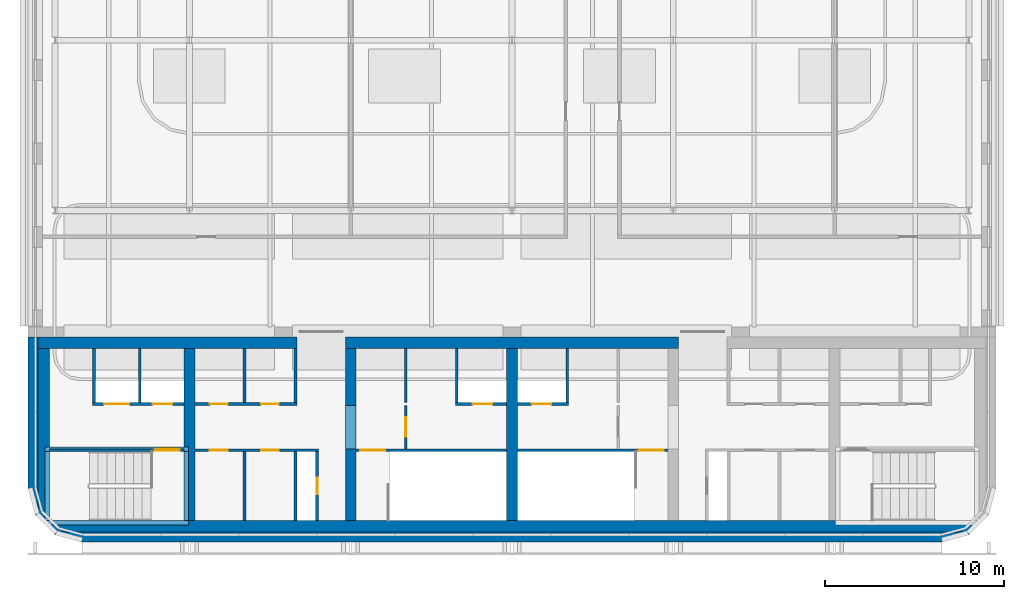
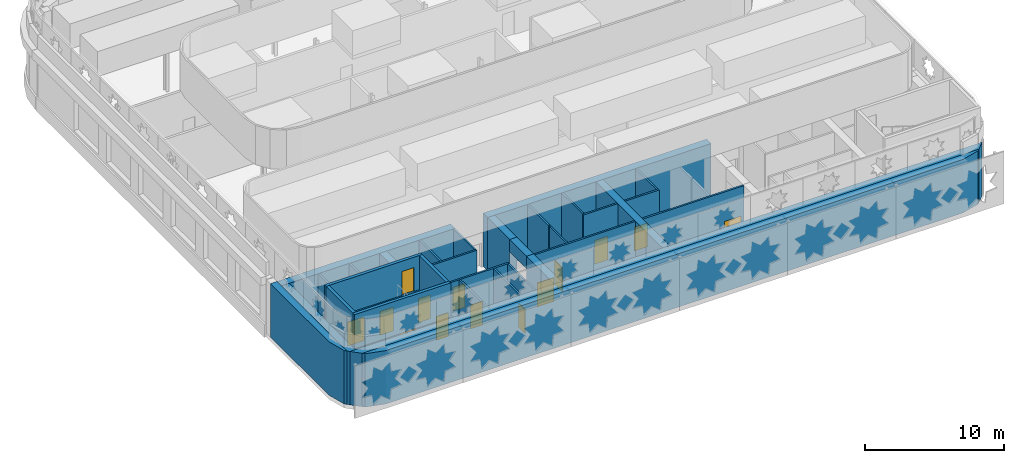
# One storey, part 6 of 14: 34 walls, 14 doors, 14 openings.
"""IFC4 building model written with IfcOpenShell, lengths in metres."""

from ifc_helpers import new_model, si_unit, direction, frame, frame_2d, origin, place, context, subcontext, project, spatial, polyline, rectangle, outline, extrude, material, layer, layer_set, type_object, element, fill, save


model = new_model("IFC4")

# Units and contexts
model_context = context("Model", 3, precision=1e-05, world=origin(), true_north=direction((0.0, 1.0)))
body_context = subcontext(model_context, "Body", "Model", "MODEL_VIEW")
ifc_project = project(units=[si_unit("LENGTHUNIT", "METRE"), si_unit("AREAUNIT", "SQUARE_METRE"), si_unit("VOLUMEUNIT", "CUBIC_METRE"), si_unit("PLANEANGLEUNIT", "RADIAN"), si_unit("MASSUNIT", "GRAM", prefix="KILO")], contexts=[model_context])

# Site, building, storey
site_placement = place(None, origin())
site = spatial("IfcSite", under=ifc_project, at=site_placement, CompositionType="ELEMENT")
building_placement = place(site_placement, origin())
building = spatial("IfcBuilding", under=site, at=building_placement, Name="Zellij Exchange Tower", CompositionType="ELEMENT")
storey_placement = place(building_placement, frame((0.0, 0.0, 305.5)))
storey = spatial("IfcBuildingStorey", under=building, at=storey_placement, Name="L71", CompositionType="ELEMENT", Elevation=305.5)

# Walls
ifc_material_1 = material(Name="Concrete C50/60", Category="concrete")
ifc_layer_1 = layer(ifc_material_1, 0.60009765625)
ifc_layer_set_1 = layer_set([ifc_layer_1], Name="Concrete C50/60")
wall_type_1 = type_object("IfcWallType", Name="CORE-CW 600 C50/60", PredefinedType="SHEAR", material=ifc_layer_set_1)
wall_1_placement = place(storey_placement, frame((-18.0, -12.800048828125, 0.0), z_axis=(0.0, 0.0, 1.0), x_axis=(0.0, 1.0, 0.0)))
element("IfcWall", 1, at=wall_1_placement, inside=storey, type_object=wall_type_1, Name="Core cross wall x -18 L71", PredefinedType="SHEAR", context=body_context, shape_type="SweptSolid", body=[
    extrude(rectangle(XDim=9.60009765625, YDim=0.60009765625, at=frame_2d((4.800048828125, 0.0))), origin(), (0.0, 0.0, 1.0), 4.699951171875),
])
wall_2_placement = place(storey_placement, frame((-9.0, -12.800048828125, 0.0), z_axis=(0.0, 0.0, 1.0), x_axis=(0.0, 1.0, 0.0)))
element("IfcWall", 2, at=wall_2_placement, inside=storey, type_object=wall_type_1, Name="Core cross wall pier x -9 a L71", PredefinedType="SHEAR", context=body_context, shape_type="SweptSolid", body=[
    extrude(rectangle(XDim=4.0, YDim=0.60009765625, at=frame_2d((2.0, 0.0))), origin(), (0.0, 0.0, 1.0), 4.699951171875),
])
wall_3_placement = place(storey_placement, frame((-9.0, -6.375, 0.0), z_axis=(0.0, 0.0, 1.0), x_axis=(0.0, 1.0, 0.0)))
element("IfcWall", 3, at=wall_3_placement, inside=storey, type_object=wall_type_1, Name="Core cross wall pier x -9 b L71", PredefinedType="SHEAR", context=body_context, shape_type="SweptSolid", body=[
    extrude(rectangle(XDim=3.175048828125, YDim=0.60009765625, at=frame_2d((1.58740234375, 0.0))), origin(), (0.0, 0.0, 1.0), 4.699951171875),
])
wall_4_placement = place(storey_placement, frame((-9.0, -8.800048828125, 3.60009765625), z_axis=(0.0, 0.0, 1.0), x_axis=(0.0, 1.0, 0.0)))
element("IfcWall", 4, at=wall_4_placement, inside=storey, type_object=wall_type_1, Name="Core cross wall over opening x -9 L71", PredefinedType="SHEAR", context=body_context, shape_type="SweptSolid", body=[
    extrude(rectangle(XDim=2.425048828125, YDim=0.60009765625, at=frame_2d((1.21240234375, 0.0))), origin(), (0.0, 0.0, 1.0), 1.099853515625),
])
wall_5_placement = place(storey_placement, frame((0.0, -12.800048828125, 0.0), z_axis=(0.0, 0.0, 1.0), x_axis=(0.0, 1.0, 0.0)))
element("IfcWall", 5, at=wall_5_placement, inside=storey, type_object=wall_type_1, Name="Core cross wall x 0 L71", PredefinedType="SHEAR", context=body_context, shape_type="SweptSolid", body=[
    extrude(rectangle(XDim=9.60009765625, YDim=0.60009765625, at=frame_2d((4.800048828125, 0.0))), origin(), (0.0, 0.0, 1.0), 4.699951171875),
])
ifc_material_2 = material(Name="Concrete C40/50", Category="concrete")
ifc_layer_2 = layer(ifc_material_2, 0.25)
ifc_layer_set_2 = layer_set([ifc_layer_2], Name="Concrete C40/50")
wall_type_2 = type_object("IfcWallType", Name="CORE-HW 250 head-house wall", PredefinedType="SOLIDWALL", material=ifc_layer_set_2)
for number, where, z_axis, x_axis, name in (
    (6, (-25.925048828125, -12.800048828125, 5.0), (0.0, 0.0, 1.0), (0.0, 1.0, 0.0), "Stair ST1 head-house wall"),
    (7, (-18.175048828125, -12.800048828125, 5.0), (0.0, 0.0, 1.0), (0.0, 1.0, 0.0), "Stair ST1 head-house wall"),
):
    element("IfcWall", number, at=place(storey_placement, frame(where, z_axis=z_axis, x_axis=x_axis)), inside=storey, type_object=wall_type_2, Name=name, PredefinedType="SOLIDWALL", context=body_context, shape_type="SweptSolid", body=[
        extrude(rectangle(XDim=3.85009765625, YDim=0.25, at=frame_2d((1.925048828125, 0.0))), origin(), (0.0, 0.0, 1.0), 3.0),
    ])

# Wall, opening, door
wall_6_placement = place(storey_placement, frame((-26.050048828125, -8.824951171875, 5.0), z_axis=(0.0, 0.0, 1.0), x_axis=(1.0, 0.0, 0.0)))
wall_6 = element("IfcWall", 8, at=wall_6_placement, inside=storey, type_object=wall_type_2, Name="Stair ST1 head-house wall", PredefinedType="SOLIDWALL", context=body_context, shape_type="SweptSolid", body=[
    extrude(rectangle(XDim=8.0, YDim=0.25, at=frame_2d((4.0, 0.0))), origin(), (0.0, 0.0, 1.0), 3.0),
])
opening_1_placement = place(wall_6_placement, frame((6.324951171875, 0.0, 0.0)))
opening_1 = element("IfcOpeningElement", 9, at=opening_1_placement, cuts=wall_6, Name="Opening CA-38.25", PredefinedType="OPENING", context=body_context, shape_type="SweptSolid", body=[
    extrude(rectangle(XDim=1.0, YDim=2.10009765625, at=frame_2d((0.5, 1.050048828125))), frame((0.0, 0.136962890625, 0.0), z_axis=(0.0, -1.0, 0.0), x_axis=(1.0, 0.0, 0.0)), (0.0, 0.0, 1.0), 0.27392578125),
])
ifc_material_3 = material(Name="Hollow metal fire door")
door_type_1 = type_object("IfcDoorType", Name="CORE-D HD Stair roof door 1000x2100 1.5 HR", OperationType="NOTDEFINED", PredefinedType="DOOR", material=ifc_material_3)
door_1_placement = place(opening_1_placement, origin())
door_1 = element("IfcDoor", 10, at=door_1_placement, inside=storey, type_object=door_type_1, Name="Stair roof door CA-38.25", OperationType="SINGLE_SWING_RIGHT", OverallHeight=2.10009765625, OverallWidth=1.0, PredefinedType="DOOR", context=body_context, shape_type="SweptSolid", body=[
    extrude(rectangle(XDim=1.0, YDim=2.10009765625, at=frame_2d((0.5, 1.050048828125))), frame((0.0, 0.02490234375, 0.0), z_axis=(0.0, -1.0, 0.0), x_axis=(1.0, 0.0, 0.0)), (0.0, 0.0, 1.0), 0.050048828125),
])
fill(opening_1, door_1)

# Walls
wall_7_placement = place(storey_placement, frame((-26.050048828125, -12.925048828125, 5.0), z_axis=(0.0, 0.0, 1.0), x_axis=(1.0, 0.0, 0.0)))
element("IfcWall", 11, at=wall_7_placement, inside=storey, type_object=wall_type_2, Name="Stair ST1 head-house wall", PredefinedType="SOLIDWALL", context=body_context, shape_type="SweptSolid", body=[
    extrude(rectangle(XDim=8.0, YDim=0.25, at=frame_2d((4.0, 0.0))), origin(), (0.0, 0.0, 1.0), 3.0),
])
ifc_material_4 = material(Name="Concrete C30/37", Category="concrete")
ifc_layer_3 = layer(ifc_material_4, 0.64990234375)
ifc_layer_set_3 = layer_set([ifc_layer_3], Name="Concrete C30/37")
wall_type_3 = type_object("IfcWallType", Name="CORE-LW 650 C30/37", PredefinedType="SHEAR", material=ifc_layer_set_3)
wall_8_placement = place(storey_placement, frame((-26.449951171875, -2.875, 0.0), z_axis=(0.0, 0.0, 1.0), x_axis=(1.0, 0.0, 0.0)))
element("IfcWall", 12, at=wall_8_placement, inside=storey, type_object=wall_type_3, Name="Core wall lining front.0 L71", PredefinedType="SHEAR", context=body_context, shape_type="SweptSolid", body=[
    extrude(rectangle(XDim=14.449951171875, YDim=0.64990234375, at=frame_2d((7.22509765625, 0.0))), origin(), (0.0, 0.0, 1.0), 4.699951171875),
])
wall_9_placement = place(storey_placement, frame((-9.300048828125, -2.875, 0.0), z_axis=(0.0, 0.0, 1.0), x_axis=(1.0, 0.0, 0.0)))
element("IfcWall", 13, at=wall_9_placement, inside=storey, type_object=wall_type_3, Name="Core wall lining front.1 L71", PredefinedType="SHEAR", context=body_context, shape_type="SweptSolid", body=[
    extrude(rectangle(XDim=18.60009765625, YDim=0.64990234375, at=frame_2d((9.300048828125, 0.0))), origin(), (0.0, 0.0, 1.0), 4.699951171875),
])
wall_10_placement = place(storey_placement, origin())
element("IfcWall", 14, at=wall_10_placement, inside=storey, type_object=wall_type_3, Name="Core wall lining rear.0 L71", PredefinedType="SHEAR", context=body_context, shape_type="SweptSolid", body=[
    extrude(outline(polyline([(26.298095703125, -12.800048828125), (25.648193359375, -13.449951171875), (-25.648193359375, -13.449951171875), (-26.298095703125, -12.800048828125), (26.298095703125, -12.800048828125)])), origin(), (0.0, 0.0, 1.0), 4.699951171875),
])
wall_11_placement = place(storey_placement, origin())
element("IfcWall", 15, at=wall_11_placement, inside=storey, type_object=wall_type_3, Name="Core wall lining end w.0 L71", PredefinedType="SHEAR", context=body_context, shape_type="SweptSolid", body=[
    extrude(outline(polyline([(-26.449951171875, -3.199951171875), (-25.800048828125, -3.199951171875), (-25.800048828125, -12.800048828125), (-26.298095703125, -12.800048828125), (-26.449951171875, -12.648193359375), (-26.449951171875, -3.199951171875)])), origin(), (0.0, 0.0, 1.0), 4.699951171875),
])

# Wall, opening, door
ifc_material_5 = material(Name="Gypsum shaft wall system")
ifc_layer_4 = layer(ifc_material_5, 0.14990234375)
ifc_layer_set_4 = layer_set([ifc_layer_4], Name="Gypsum shaft wall system")
wall_type_4 = type_object("IfcWallType", Name="CORE-PW 150 Firefighting lobby wall", PredefinedType="PARTITIONING", material=ifc_layer_set_4)
wall_12_placement = place(storey_placement, frame((-5.925048828125, -8.800048828125, 0.0), z_axis=(0.0, 0.0, 1.0), x_axis=(0.0, 1.0, 0.0)))
wall_12 = element("IfcWall", 16, at=wall_12_placement, inside=storey, type_object=wall_type_4, Name="Firefighting lobby wall L71", PredefinedType="PARTITIONING", context=body_context, shape_type="SweptSolid", body=[
    extrude(rectangle(XDim=2.425048828125, YDim=0.14990234375, at=frame_2d((1.21240234375, 0.0))), origin(), (0.0, 0.0, 1.0), 4.699951171875),
])
opening_2_placement = place(wall_12_placement, frame((0.662109375, 0.0, 0.0)))
opening_2 = element("IfcOpeningElement", 17, at=opening_2_placement, cuts=wall_12, Name="Opening CA-38.11", PredefinedType="OPENING", context=body_context, shape_type="SweptSolid", body=[
    extrude(rectangle(XDim=1.10009765625, YDim=2.10009765625, at=frame_2d((0.550048828125, 1.050048828125))), frame((0.0, 0.0869140625, 0.0), z_axis=(0.0, -1.0, 0.0), x_axis=(1.0, 0.0, 0.0)), (0.0, 0.0, 1.0), 0.173828125),
])
door_type_2 = type_object("IfcDoorType", Name="CORE-D F Firefighting lobby door 1100x2100 1 HR", OperationType="NOTDEFINED", PredefinedType="DOOR", material=ifc_material_3)
door_2_placement = place(opening_2_placement, origin())
door_2 = element("IfcDoor", 18, at=door_2_placement, inside=storey, type_object=door_type_2, Name="Firefighting lobby door CA-38.11", OperationType="SINGLE_SWING_LEFT", OverallHeight=2.10009765625, OverallWidth=1.10009765625, PredefinedType="DOOR", context=body_context, shape_type="SweptSolid", body=[
    extrude(rectangle(XDim=1.10009765625, YDim=2.10009765625, at=frame_2d((0.550048828125, 1.050048828125))), frame((0.0, 0.02490234375, 0.0), z_axis=(0.0, -1.0, 0.0), x_axis=(1.0, 0.0, 0.0)), (0.0, 0.0, 1.0), 0.050048828125),
])
fill(opening_2, door_2)

# Walls
ifc_layer_5 = layer(ifc_material_5, 0.14990234375)
ifc_layer_set_5 = layer_set([ifc_layer_5], Name="Gypsum shaft wall system")
wall_type_5 = type_object("IfcWallType", Name="CORE-PW 150 Lift shaft wall", PredefinedType="PARTITIONING", material=ifc_layer_set_5)
for number, where, z_axis, x_axis, name in (
    (19, (-20.77490234375, -6.22509765625, 0.0), (0.0, 0.0, 1.0), (0.0, 1.0, 0.0), "Lift shaft wall L71"),
    (20, (-23.324951171875, -6.22509765625, 0.0), (0.0, 0.0, 1.0), (0.0, 1.0, 0.0), "Lift shaft wall L71"),
    (21, (-3.074951171875, -6.22509765625, 0.0), (0.0, 0.0, 1.0), (0.0, 1.0, 0.0), "Lift shaft wall L71"),
    (22, (3.074951171875, -6.22509765625, 0.0), (0.0, 0.0, 1.0), (0.0, 1.0, 0.0), "Lift shaft wall L71"),
):
    element("IfcWall", number, at=place(storey_placement, frame(where, z_axis=z_axis, x_axis=x_axis)), inside=storey, type_object=wall_type_5, Name=name, PredefinedType="PARTITIONING", context=body_context, shape_type="SweptSolid", body=[
        extrude(rectangle(XDim=3.025146484375, YDim=0.14990234375, at=frame_2d((1.5126953125, 0.0))), origin(), (0.0, 0.0, 1.0), 4.699951171875),
    ])

# Wall, openings, doors
wall_13_placement = place(storey_placement, frame((-23.39990234375, -6.300048828125, 0.0), z_axis=(0.0, 0.0, 1.0), x_axis=(1.0, 0.0, 0.0)))
wall_13 = element("IfcWall", 23, at=wall_13_placement, inside=storey, type_object=wall_type_5, Name="Lift shaft wall L71", PredefinedType="PARTITIONING", context=body_context, shape_type="SweptSolid", body=[
    extrude(rectangle(XDim=5.099853515625, YDim=0.14990234375, at=frame_2d((2.5498046875, 0.0))), origin(), (0.0, 0.0, 1.0), 4.699951171875),
])
opening_3_placement = place(wall_13_placement, frame((0.64990234375, 0.0, 0.0)))
opening_3 = element("IfcOpeningElement", 24, at=opening_3_placement, cuts=wall_13, Name="Opening CA-38.01", PredefinedType="OPENING", context=body_context, shape_type="SweptSolid", body=[
    extrude(rectangle(XDim=1.39990234375, YDim=2.10009765625, at=frame_2d((0.699951171875, 1.050048828125))), frame((0.0, 0.0869140625, 0.0), z_axis=(0.0, -1.0, 0.0), x_axis=(1.0, 0.0, 0.0)), (0.0, 0.0, 1.0), 0.173828125),
])
opening_4_placement = place(wall_13_placement, frame((3.35009765625, 0.0, 0.0)))
opening_4 = element("IfcOpeningElement", 25, at=opening_4_placement, cuts=wall_13, Name="Opening CA-38.02", PredefinedType="OPENING", context=body_context, shape_type="SweptSolid", body=[
    extrude(rectangle(XDim=1.10009765625, YDim=2.10009765625, at=frame_2d((0.550048828125, 1.050048828125))), frame((0.0, 0.0869140625, 0.0), z_axis=(0.0, -1.0, 0.0), x_axis=(1.0, 0.0, 0.0)), (0.0, 0.0, 1.0), 0.173828125),
])
door_type_3 = type_object("IfcDoorType", Name="CORE-D LD Lift landing door 1100x2100 1.5 HR", OperationType="NOTDEFINED", PredefinedType="DOOR", material=ifc_material_3)
door_3_placement = place(opening_4_placement, origin())
door_3 = element("IfcDoor", 26, at=door_3_placement, inside=storey, type_object=door_type_3, Name="Lift landing door CA-38.02", OperationType="SLIDING_TO_RIGHT", OverallHeight=2.10009765625, OverallWidth=1.10009765625, PredefinedType="DOOR", context=body_context, shape_type="SweptSolid", body=[
    extrude(rectangle(XDim=1.10009765625, YDim=2.10009765625, at=frame_2d((0.550048828125, 1.050048828125))), frame((0.0, 0.02490234375, 0.0), z_axis=(0.0, -1.0, 0.0), x_axis=(1.0, 0.0, 0.0)), (0.0, 0.0, 1.0), 0.050048828125),
])
fill(opening_4, door_3)
door_type_4 = type_object("IfcDoorType", Name="CORE-D LD2 Service lift landing door 1400x2100 1.5 HR", OperationType="NOTDEFINED", PredefinedType="DOOR", material=ifc_material_3)
door_4_placement = place(opening_3_placement, origin())
door_4 = element("IfcDoor", 27, at=door_4_placement, inside=storey, type_object=door_type_4, Name="Service lift landing door CA-38.01", OperationType="SLIDING_TO_LEFT", OverallHeight=2.10009765625, OverallWidth=1.39990234375, PredefinedType="DOOR", context=body_context, shape_type="SweptSolid", body=[
    extrude(rectangle(XDim=1.39990234375, YDim=2.10009765625, at=frame_2d((0.699951171875, 1.050048828125))), frame((0.0, 0.02490234375, 0.0), z_axis=(0.0, -1.0, 0.0), x_axis=(1.0, 0.0, 0.0)), (0.0, 0.0, 1.0), 0.050048828125),
])
fill(opening_3, door_4)

# Wall, opening, door
wall_14_placement = place(storey_placement, frame((-3.14990234375, -6.300048828125, 0.0), z_axis=(0.0, 0.0, 1.0), x_axis=(1.0, 0.0, 0.0)))
wall_14 = element("IfcWall", 28, at=wall_14_placement, inside=storey, type_object=wall_type_5, Name="Lift shaft wall L71", PredefinedType="PARTITIONING", context=body_context, shape_type="SweptSolid", body=[
    extrude(rectangle(XDim=2.849853515625, YDim=0.14990234375, at=frame_2d((1.4248046875, 0.0))), origin(), (0.0, 0.0, 1.0), 4.699951171875),
])
opening_5_placement = place(wall_14_placement, frame((0.949951171875, 0.0, 0.0)))
opening_5 = element("IfcOpeningElement", 29, at=opening_5_placement, cuts=wall_14, Name="Opening CA-38.12", PredefinedType="OPENING", context=body_context, shape_type="SweptSolid", body=[
    extrude(rectangle(XDim=1.10009765625, YDim=2.10009765625, at=frame_2d((0.550048828125, 1.050048828125))), frame((0.0, 0.0869140625, 0.0), z_axis=(0.0, -1.0, 0.0), x_axis=(1.0, 0.0, 0.0)), (0.0, 0.0, 1.0), 0.173828125),
])
door_5_placement = place(opening_5_placement, origin())
door_5 = element("IfcDoor", 30, at=door_5_placement, inside=storey, type_object=door_type_3, Name="Lift landing door CA-38.12", OperationType="SLIDING_TO_RIGHT", OverallHeight=2.10009765625, OverallWidth=1.10009765625, PredefinedType="DOOR", context=body_context, shape_type="SweptSolid", body=[
    extrude(rectangle(XDim=1.10009765625, YDim=2.10009765625, at=frame_2d((0.550048828125, 1.050048828125))), frame((0.0, 0.02490234375, 0.0), z_axis=(0.0, -1.0, 0.0), x_axis=(1.0, 0.0, 0.0)), (0.0, 0.0, 1.0), 0.050048828125),
])
fill(opening_5, door_5)

wall_15_placement = place(storey_placement, frame((0.300048828125, -6.300048828125, 0.0), z_axis=(0.0, 0.0, 1.0), x_axis=(1.0, 0.0, 0.0)))
wall_15 = element("IfcWall", 31, at=wall_15_placement, inside=storey, type_object=wall_type_5, Name="Lift shaft wall L71", PredefinedType="PARTITIONING", context=body_context, shape_type="SweptSolid", body=[
    extrude(rectangle(XDim=2.849853515625, YDim=0.14990234375, at=frame_2d((1.4248046875, 0.0))), origin(), (0.0, 0.0, 1.0), 4.699951171875),
])
opening_6_placement = place(wall_15_placement, frame((0.800048828125, 0.0, 0.0)))
opening_6 = element("IfcOpeningElement", 32, at=opening_6_placement, cuts=wall_15, Name="Opening CA-38.13", PredefinedType="OPENING", context=body_context, shape_type="SweptSolid", body=[
    extrude(rectangle(XDim=1.10009765625, YDim=2.10009765625, at=frame_2d((0.550048828125, 1.050048828125))), frame((0.0, 0.0869140625, 0.0), z_axis=(0.0, -1.0, 0.0), x_axis=(1.0, 0.0, 0.0)), (0.0, 0.0, 1.0), 0.173828125),
])
door_6_placement = place(opening_6_placement, origin())
door_6 = element("IfcDoor", 33, at=door_6_placement, inside=storey, type_object=door_type_3, Name="Lift landing door CA-38.13", OperationType="SLIDING_TO_LEFT", OverallHeight=2.10009765625, OverallWidth=1.10009765625, PredefinedType="DOOR", context=body_context, shape_type="SweptSolid", body=[
    extrude(rectangle(XDim=1.10009765625, YDim=2.10009765625, at=frame_2d((0.550048828125, 1.050048828125))), frame((0.0, 0.02490234375, 0.0), z_axis=(0.0, -1.0, 0.0), x_axis=(1.0, 0.0, 0.0)), (0.0, 0.0, 1.0), 0.050048828125),
])
fill(opening_6, door_6)

# Walls
ifc_layer_6 = layer(ifc_material_5, 0.14990234375)
ifc_layer_set_6 = layer_set([ifc_layer_6], Name="Gypsum shaft wall system")
wall_type_6 = type_object("IfcWallType", Name="CORE-PW 150 Plant room wall", PredefinedType="PARTITIONING", material=ifc_layer_set_6)
for number, where, z_axis, x_axis, name in (
    (34, (-12.074951171875, -6.22509765625, 0.0), (0.0, 0.0, 1.0), (0.0, 1.0, 0.0), "Plant room wall L71"),
    (35, (-14.925048828125, -6.22509765625, 0.0), (0.0, 0.0, 1.0), (0.0, 1.0, 0.0), "Plant room wall L71"),
    (36, (-5.925048828125, -6.22509765625, 0.0), (0.0, 0.0, 1.0), (0.0, 1.0, 0.0), "Plant room wall L71"),
):
    element("IfcWall", number, at=place(storey_placement, frame(where, z_axis=z_axis, x_axis=x_axis)), inside=storey, type_object=wall_type_6, Name=name, PredefinedType="PARTITIONING", context=body_context, shape_type="SweptSolid", body=[
        extrude(rectangle(XDim=3.025146484375, YDim=0.14990234375, at=frame_2d((1.5126953125, 0.0))), origin(), (0.0, 0.0, 1.0), 4.699951171875),
    ])

# Wall, opening, door
wall_16_placement = place(storey_placement, frame((-10.875, -12.800048828125, 0.0), z_axis=(0.0, 0.0, 1.0), x_axis=(0.0, 1.0, 0.0)))
wall_16 = element("IfcWall", 37, at=wall_16_placement, inside=storey, type_object=wall_type_6, Name="Plant room wall L71", PredefinedType="PARTITIONING", context=body_context, shape_type="SweptSolid", body=[
    extrude(rectangle(XDim=3.85009765625, YDim=0.14990234375, at=frame_2d((1.925048828125, 0.0))), origin(), (0.0, 0.0, 1.0), 4.699951171875),
])
opening_7_placement = place(wall_16_placement, frame((1.47509765625, 0.0, 0.0)))
opening_7 = element("IfcOpeningElement", 38, at=opening_7_placement, cuts=wall_16, Name="Opening CA-38.08", PredefinedType="OPENING", context=body_context, shape_type="SweptSolid", body=[
    extrude(rectangle(XDim=0.89990234375, YDim=2.10009765625, at=frame_2d((0.449951171875, 1.050048828125))), frame((0.0, 0.0869140625, 0.0), z_axis=(0.0, -1.0, 0.0), x_axis=(1.0, 0.0, 0.0)), (0.0, 0.0, 1.0), 0.173828125),
])
door_type_5 = type_object("IfcDoorType", Name="CORE-D RD Riser door 900x2100 1.5 HR", OperationType="NOTDEFINED", PredefinedType="DOOR", material=ifc_material_3)
door_7_placement = place(opening_7_placement, origin())
door_7 = element("IfcDoor", 39, at=door_7_placement, inside=storey, type_object=door_type_5, Name="Riser door CA-38.08", OperationType="SINGLE_SWING_RIGHT", OverallHeight=2.10009765625, OverallWidth=0.89990234375, PredefinedType="DOOR", context=body_context, shape_type="SweptSolid", body=[
    extrude(rectangle(XDim=0.89990234375, YDim=2.10009765625, at=frame_2d((0.449951171875, 1.050048828125))), frame((0.0, 0.02490234375, 0.0), z_axis=(0.0, -1.0, 0.0), x_axis=(1.0, 0.0, 0.0)), (0.0, 0.0, 1.0), 0.050048828125),
])
fill(opening_7, door_7)

# Walls
for number, where, z_axis, x_axis, name in (
    (40, (-12.074951171875, -12.800048828125, 0.0), (0.0, 0.0, 1.0), (0.0, 1.0, 0.0), "Plant room wall L71"),
    (41, (-14.925048828125, -12.800048828125, 0.0), (0.0, 0.0, 1.0), (0.0, 1.0, 0.0), "Plant room wall L71"),
):
    element("IfcWall", number, at=place(storey_placement, frame(where, z_axis=z_axis, x_axis=x_axis)), inside=storey, type_object=wall_type_6, Name=name, PredefinedType="PARTITIONING", context=body_context, shape_type="SweptSolid", body=[
        extrude(rectangle(XDim=3.85009765625, YDim=0.14990234375, at=frame_2d((1.925048828125, 0.0))), origin(), (0.0, 0.0, 1.0), 4.699951171875),
    ])

# Wall, openings, doors
wall_17_placement = place(storey_placement, frame((-17.699951171875, -6.300048828125, 0.0), z_axis=(0.0, 0.0, 1.0), x_axis=(1.0, 0.0, 0.0)))
wall_17 = element("IfcWall", 42, at=wall_17_placement, inside=storey, type_object=wall_type_6, Name="Plant room wall L71", PredefinedType="PARTITIONING", context=body_context, shape_type="SweptSolid", body=[
    extrude(rectangle(XDim=5.699951171875, YDim=0.14990234375, at=frame_2d((2.85009765625, 0.0))), origin(), (0.0, 0.0, 1.0), 4.699951171875),
])
opening_8_placement = place(wall_17_placement, frame((0.85009765625, 0.0, 0.0)))
opening_8 = element("IfcOpeningElement", 43, at=opening_8_placement, cuts=wall_17, Name="Opening CA-38.05", PredefinedType="OPENING", context=body_context, shape_type="SweptSolid", body=[
    extrude(rectangle(XDim=1.0, YDim=2.10009765625, at=frame_2d((0.5, 1.050048828125))), frame((0.0, 0.0869140625, 0.0), z_axis=(0.0, -1.0, 0.0), x_axis=(1.0, 0.0, 0.0)), (0.0, 0.0, 1.0), 0.173828125),
])
opening_9_placement = place(wall_17_placement, frame((3.699951171875, 0.0, 0.0)))
opening_9 = element("IfcOpeningElement", 44, at=opening_9_placement, cuts=wall_17, Name="Opening CA-38.07", PredefinedType="OPENING", context=body_context, shape_type="SweptSolid", body=[
    extrude(rectangle(XDim=1.0, YDim=2.10009765625, at=frame_2d((0.5, 1.050048828125))), frame((0.0, 0.0869140625, 0.0), z_axis=(0.0, -1.0, 0.0), x_axis=(1.0, 0.0, 0.0)), (0.0, 0.0, 1.0), 0.173828125),
])
door_type_6 = type_object("IfcDoorType", Name="CORE-D CDA Core room door 1000x2100 1.5 HR", OperationType="NOTDEFINED", PredefinedType="DOOR", material=ifc_material_3)
door_8_placement = place(opening_8_placement, origin())
door_8 = element("IfcDoor", 45, at=door_8_placement, inside=storey, type_object=door_type_6, Name="Core room door CA-38.05", OperationType="SINGLE_SWING_LEFT", OverallHeight=2.10009765625, OverallWidth=1.0, PredefinedType="DOOR", context=body_context, shape_type="SweptSolid", body=[
    extrude(rectangle(XDim=1.0, YDim=2.10009765625, at=frame_2d((0.5, 1.050048828125))), frame((0.0, 0.02490234375, 0.0), z_axis=(0.0, -1.0, 0.0), x_axis=(1.0, 0.0, 0.0)), (0.0, 0.0, 1.0), 0.050048828125),
])
fill(opening_8, door_8)
door_9_placement = place(opening_9_placement, origin())
door_9 = element("IfcDoor", 46, at=door_9_placement, inside=storey, type_object=door_type_6, Name="Core room door CA-38.07", OperationType="SINGLE_SWING_RIGHT", OverallHeight=2.10009765625, OverallWidth=1.0, PredefinedType="DOOR", context=body_context, shape_type="SweptSolid", body=[
    extrude(rectangle(XDim=1.0, YDim=2.10009765625, at=frame_2d((0.5, 1.050048828125))), frame((0.0, 0.02490234375, 0.0), z_axis=(0.0, -1.0, 0.0), x_axis=(1.0, 0.0, 0.0)), (0.0, 0.0, 1.0), 0.050048828125),
])
fill(opening_9, door_9)

wall_18_placement = place(storey_placement, frame((-17.699951171875, -8.875, 0.0), z_axis=(0.0, 0.0, 1.0), x_axis=(1.0, 0.0, 0.0)))
wall_18 = element("IfcWall", 47, at=wall_18_placement, inside=storey, type_object=wall_type_6, Name="Plant room wall L71", PredefinedType="PARTITIONING", context=body_context, shape_type="SweptSolid", body=[
    extrude(rectangle(XDim=6.89990234375, YDim=0.14990234375, at=frame_2d((3.449951171875, 0.0))), origin(), (0.0, 0.0, 1.0), 4.699951171875),
])
opening_10_placement = place(wall_18_placement, frame((0.85009765625, 0.0, 0.0)))
opening_10 = element("IfcOpeningElement", 48, at=opening_10_placement, cuts=wall_18, Name="Opening CA-38.04", PredefinedType="OPENING", context=body_context, shape_type="SweptSolid", body=[
    extrude(rectangle(XDim=1.0, YDim=2.10009765625, at=frame_2d((0.5, 1.050048828125))), frame((0.0, 0.0869140625, 0.0), z_axis=(0.0, -1.0, 0.0), x_axis=(1.0, 0.0, 0.0)), (0.0, 0.0, 1.0), 0.173828125),
])
opening_11_placement = place(wall_18_placement, frame((3.699951171875, 0.0, 0.0)))
opening_11 = element("IfcOpeningElement", 49, at=opening_11_placement, cuts=wall_18, Name="Opening CA-38.06", PredefinedType="OPENING", context=body_context, shape_type="SweptSolid", body=[
    extrude(rectangle(XDim=1.0, YDim=2.10009765625, at=frame_2d((0.5, 1.050048828125))), frame((0.0, 0.0869140625, 0.0), z_axis=(0.0, -1.0, 0.0), x_axis=(1.0, 0.0, 0.0)), (0.0, 0.0, 1.0), 0.173828125),
])
door_10_placement = place(opening_10_placement, origin())
door_10 = element("IfcDoor", 50, at=door_10_placement, inside=storey, type_object=door_type_6, Name="Core room door CA-38.04", OperationType="SINGLE_SWING_RIGHT", OverallHeight=2.10009765625, OverallWidth=1.0, PredefinedType="DOOR", context=body_context, shape_type="SweptSolid", body=[
    extrude(rectangle(XDim=1.0, YDim=2.10009765625, at=frame_2d((0.5, 1.050048828125))), frame((0.0, 0.02490234375, 0.0), z_axis=(0.0, -1.0, 0.0), x_axis=(1.0, 0.0, 0.0)), (0.0, 0.0, 1.0), 0.050048828125),
])
fill(opening_10, door_10)
door_11_placement = place(opening_11_placement, origin())
door_11 = element("IfcDoor", 51, at=door_11_placement, inside=storey, type_object=door_type_6, Name="Core room door CA-38.06", OperationType="SINGLE_SWING_LEFT", OverallHeight=2.10009765625, OverallWidth=1.0, PredefinedType="DOOR", context=body_context, shape_type="SweptSolid", body=[
    extrude(rectangle(XDim=1.0, YDim=2.10009765625, at=frame_2d((0.5, 1.050048828125))), frame((0.0, 0.02490234375, 0.0), z_axis=(0.0, -1.0, 0.0), x_axis=(1.0, 0.0, 0.0)), (0.0, 0.0, 1.0), 0.050048828125),
])
fill(opening_11, door_11)

# Walls
ifc_layer_7 = layer(ifc_material_1, 0.550048828125)
ifc_layer_set_7 = layer_set([ifc_layer_7], Name="Concrete C50/60")
wall_type_7 = type_object("IfcWallType", Name="CORE-SW 550 C50/60", PredefinedType="SHEAR", material=ifc_layer_set_7)
wall_19_placement = place(storey_placement, origin())
element("IfcWall", 52, at=wall_19_placement, inside=storey, type_object=wall_type_7, Name="Core shear wall rear L71", PredefinedType="SHEAR", context=body_context, shape_type="SweptSolid", body=[
    extrude(outline(polyline([(25.648193359375, -13.449951171875), (25.5, -13.59814453125), (24.0, -14.0), (-24.0, -14.0), (-25.5, -13.59814453125), (-25.648193359375, -13.449951171875), (25.648193359375, -13.449951171875)])), origin(), (0.0, 0.0, 1.0), 4.699951171875),
])
wall_20_placement = place(storey_placement, origin())
element("IfcWall", 53, at=wall_20_placement, inside=storey, type_object=wall_type_7, Name="Core shear wall end w L71", PredefinedType="SHEAR", context=body_context, shape_type="SweptSolid", body=[
    extrude(outline(polyline([(-26.449951171875, -2.550048828125), (-26.449951171875, -12.648193359375), (-26.59814453125, -12.5), (-27.0, -11.0), (-27.0, -2.550048828125), (-26.449951171875, -2.550048828125)])), origin(), (0.0, 0.0, 1.0), 4.699951171875),
])

# Wall, opening, door
ifc_layer_8 = layer(ifc_material_1, 0.14990234375)
ifc_layer_set_8 = layer_set([ifc_layer_8], Name="Concrete C50/60")
wall_type_8 = type_object("IfcWallType", Name="CORE-SWS 150 C50/60", PredefinedType="SHEAR", material=ifc_layer_set_8)
wall_21_placement = place(storey_placement, frame((-25.800048828125, -8.875, 0.0), z_axis=(0.0, 0.0, 1.0), x_axis=(1.0, 0.0, 0.0)))
wall_21 = element("IfcWall", 54, at=wall_21_placement, inside=storey, type_object=wall_type_8, Name="Stair enclosure wall L71", PredefinedType="SHEAR", context=body_context, shape_type="SweptSolid", body=[
    extrude(rectangle(XDim=7.5, YDim=0.14990234375, at=frame_2d((3.75, 0.0))), origin(), (0.0, 0.0, 1.0), 4.699951171875),
])
opening_12_placement = place(wall_21_placement, frame((5.875, 0.0, 0.0)))
opening_12 = element("IfcOpeningElement", 55, at=opening_12_placement, cuts=wall_21, Name="Opening CA-38.03", PredefinedType="OPENING", context=body_context, shape_type="SweptSolid", body=[
    extrude(rectangle(XDim=1.39990234375, YDim=2.10009765625, at=frame_2d((0.699951171875, 1.050048828125))), frame((0.0, 0.0869140625, 0.0), z_axis=(0.0, -1.0, 0.0), x_axis=(1.0, 0.0, 0.0)), (0.0, 0.0, 1.0), 0.173828125),
])
door_type_7 = type_object("IfcDoorType", Name="CORE-D SD Stair door 1400x2100 1.5 HR", OperationType="NOTDEFINED", PredefinedType="DOOR", material=ifc_material_3)
door_12_placement = place(opening_12_placement, origin())
door_12 = element("IfcDoor", 56, at=door_12_placement, inside=storey, type_object=door_type_7, Name="Stair door CA-38.03", OperationType="DOUBLE_DOOR_SINGLE_SWING", OverallHeight=2.10009765625, OverallWidth=1.39990234375, PredefinedType="DOOR", context=body_context, shape_type="SweptSolid", body=[
    extrude(rectangle(XDim=1.39990234375, YDim=2.10009765625, at=frame_2d((0.699951171875, 1.050048828125))), frame((0.0, 0.02490234375, 0.0), z_axis=(0.0, -1.0, 0.0), x_axis=(1.0, 0.0, 0.0)), (0.0, 0.0, 1.0), 0.050048828125),
])
fill(opening_12, door_12)

wall_22_placement = place(storey_placement, frame((-8.699951171875, -8.875, 0.0), z_axis=(0.0, 0.0, 1.0), x_axis=(1.0, 0.0, 0.0)))
wall_22 = element("IfcWall", 57, at=wall_22_placement, inside=storey, type_object=wall_type_8, Name="Stair enclosure wall L71", PredefinedType="SHEAR", context=body_context, shape_type="SweptSolid", body=[
    extrude(rectangle(XDim=8.39990234375, YDim=0.14990234375, at=frame_2d((4.199951171875, 0.0))), origin(), (0.0, 0.0, 1.0), 4.699951171875),
])
opening_13_placement = place(wall_22_placement, frame((0.22509765625, 0.0, 0.0)))
opening_13 = element("IfcOpeningElement", 58, at=opening_13_placement, cuts=wall_22, Name="Opening CA-38.10", PredefinedType="OPENING", context=body_context, shape_type="SweptSolid", body=[
    extrude(rectangle(XDim=1.39990234375, YDim=2.10009765625, at=frame_2d((0.699951171875, 1.050048828125))), frame((0.0, 0.0869140625, 0.0), z_axis=(0.0, -1.0, 0.0), x_axis=(1.0, 0.0, 0.0)), (0.0, 0.0, 1.0), 0.173828125),
])
door_13_placement = place(opening_13_placement, origin())
door_13 = element("IfcDoor", 59, at=door_13_placement, inside=storey, type_object=door_type_7, Name="Stair door CA-38.10", OperationType="DOUBLE_DOOR_SINGLE_SWING", OverallHeight=2.10009765625, OverallWidth=1.39990234375, PredefinedType="DOOR", context=body_context, shape_type="SweptSolid", body=[
    extrude(rectangle(XDim=1.39990234375, YDim=2.10009765625, at=frame_2d((0.699951171875, 1.050048828125))), frame((0.0, 0.02490234375, 0.0), z_axis=(0.0, -1.0, 0.0), x_axis=(1.0, 0.0, 0.0)), (0.0, 0.0, 1.0), 0.050048828125),
])
fill(opening_13, door_13)

wall_23_placement = place(storey_placement, frame((0.300048828125, -8.875, 0.0), z_axis=(0.0, 0.0, 1.0), x_axis=(1.0, 0.0, 0.0)))
wall_23 = element("IfcWall", 60, at=wall_23_placement, inside=storey, type_object=wall_type_8, Name="Stair enclosure wall L71", PredefinedType="SHEAR", context=body_context, shape_type="SweptSolid", body=[
    extrude(rectangle(XDim=8.39990234375, YDim=0.14990234375, at=frame_2d((4.199951171875, 0.0))), origin(), (0.0, 0.0, 1.0), 4.699951171875),
])
opening_14_placement = place(wall_23_placement, frame((6.77490234375, 0.0, 0.0)))
opening_14 = element("IfcOpeningElement", 61, at=opening_14_placement, cuts=wall_23, Name="Opening CA-38.15", PredefinedType="OPENING", context=body_context, shape_type="SweptSolid", body=[
    extrude(rectangle(XDim=1.39990234375, YDim=2.10009765625, at=frame_2d((0.699951171875, 1.050048828125))), frame((0.0, 0.0869140625, 0.0), z_axis=(0.0, -1.0, 0.0), x_axis=(1.0, 0.0, 0.0)), (0.0, 0.0, 1.0), 0.173828125),
])
door_14_placement = place(opening_14_placement, origin())
door_14 = element("IfcDoor", 62, at=door_14_placement, inside=storey, type_object=door_type_7, Name="Stair door CA-38.15", OperationType="DOUBLE_DOOR_SINGLE_SWING", OverallHeight=2.10009765625, OverallWidth=1.39990234375, PredefinedType="DOOR", context=body_context, shape_type="SweptSolid", body=[
    extrude(rectangle(XDim=1.39990234375, YDim=2.10009765625, at=frame_2d((0.699951171875, 1.050048828125))), frame((0.0, 0.02490234375, 0.0), z_axis=(0.0, -1.0, 0.0), x_axis=(1.0, 0.0, 0.0)), (0.0, 0.0, 1.0), 0.050048828125),
])
fill(opening_14, door_14)

save(model, "model.ifc")
